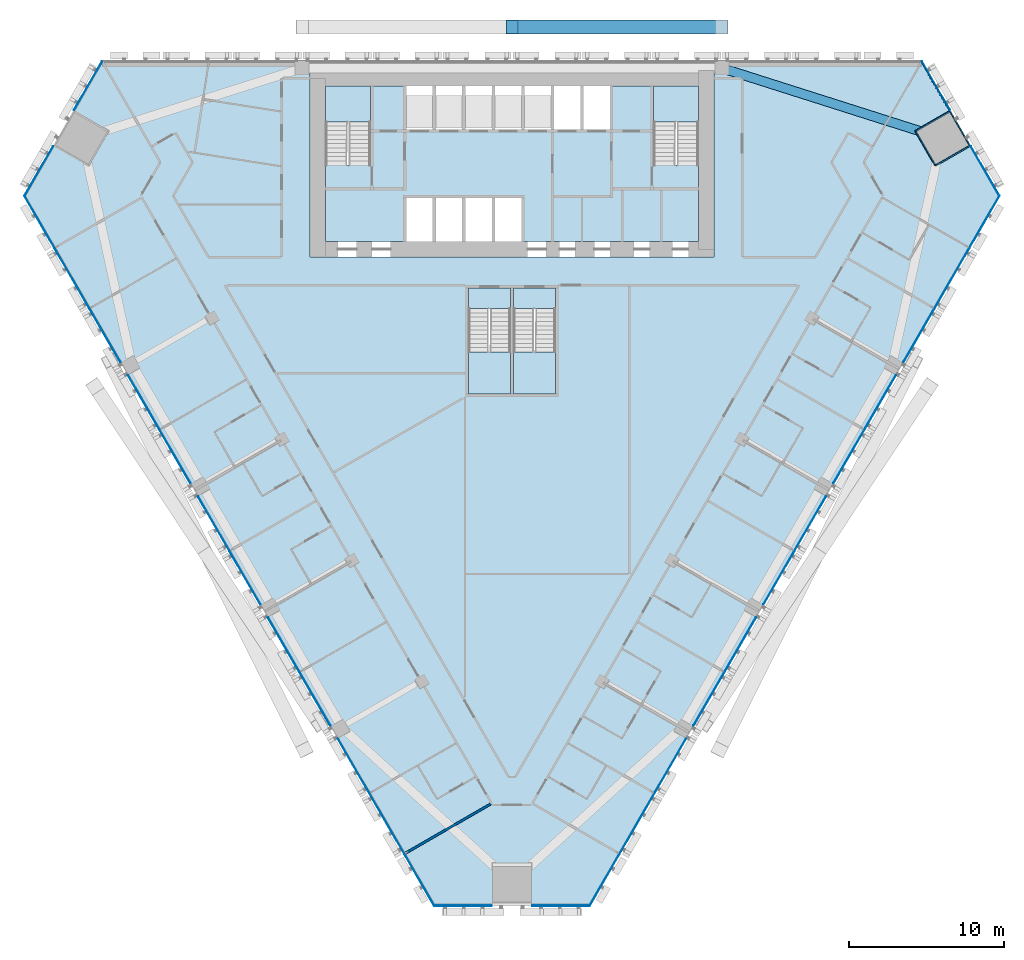
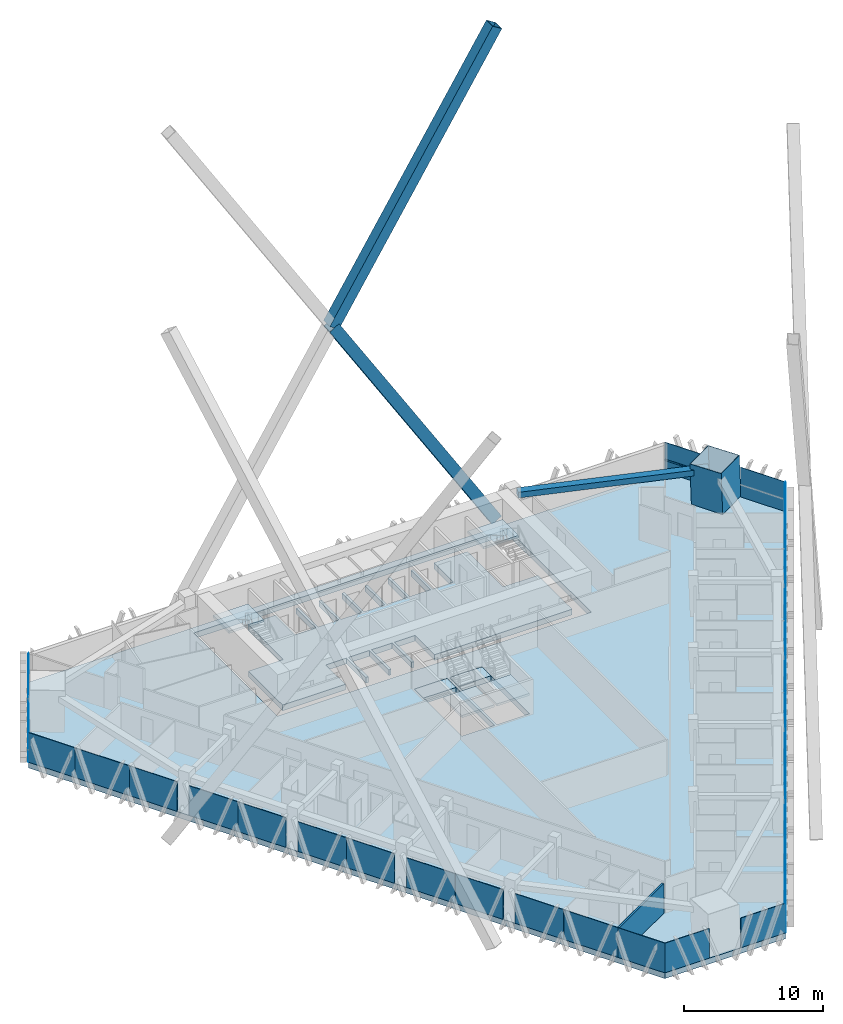
# One storey, part 15 of 24: 30 plates, 8 slabs, 4 members, 1 beam, 1 wall, 9 elements without a shape of their own.
"""IFC4 building model written with IfcOpenShell, lengths in metres."""

import ifcopenshell
import ifcopenshell.guid

model = None  # the IFC model being written
_history = None  # IfcOwnerHistory: only IFC2X3 demands one
_inside = {}  # id of a spatial element -> (the spatial element, [elements in it])
_under = {}  # id of a project, library or spatial element -> (it, [spatial elements below it])
_declared = {}  # id of a project -> (the project, [libraries it declares])
_typed = {}  # id of a type object -> (the type object, [elements of that type])
_made_of = {}  # id of a material, layer set ... -> (it, [elements and type objects made of it])


def new_model(schema):
    """Start an empty IFC model of exactly this schema.

    Asked for "IFC4X3", IfcOpenShell would pick the latest addendum, in which some entities
    have other attributes; the version numbers below select the first issue.
    IFC2X3 requires an IfcOwnerHistory on every rooted entity: one is made here for all.
    """
    global model, _history
    if schema == "IFC4X3":
        model = ifcopenshell.file(schema_version=(4, 3, 0, 0))
    else:
        model = ifcopenshell.file(schema=schema)
    _inside.clear()
    _under.clear()
    _declared.clear()
    _typed.clear()
    _made_of.clear()
    _history = None
    if model.schema == "IFC2X3":
        org = make("IfcOrganization", Name="unknown")
        user = make(
            "IfcPersonAndOrganization",
            ThePerson=make("IfcPerson", FamilyName="unknown"),
            TheOrganization=org,
        )
        app = make(
            "IfcApplication",
            ApplicationDeveloper=org,
            Version="unknown",
            ApplicationFullName="unknown",
            ApplicationIdentifier="unknown",
        )
        _history = make(
            "IfcOwnerHistory",
            OwningUser=user,
            OwningApplication=app,
            ChangeAction="ADDED",
            CreationDate=0,
        )
    return model


def make(cls, **values):
    """One entity of the class cls with the attributes given. An attribute that is None is left unset."""
    return model.create_entity(
        cls, **{name: value for name, value in values.items() if value is not None}
    )


def rooted(cls, **values):
    """An entity with a GlobalId (a new one), such as an element, a storey or a relation."""
    return make(cls, GlobalId=ifcopenshell.guid.new(), OwnerHistory=_history, **values)


def si_unit(unit_type, name, prefix=None):
    """IfcSIUnit, for example si_unit("LENGTHUNIT", "METRE", prefix="MILLI")."""
    return make("IfcSIUnit", UnitType=unit_type, Prefix=prefix, Name=name)


def assignment(units):
    """IfcUnitAssignment: the units of a project."""
    return None if units is None else make("IfcUnitAssignment", Units=units)


def point(xyz):
    """IfcCartesianPoint."""
    return None if xyz is None else make("IfcCartesianPoint", Coordinates=xyz)


def direction(xyz):
    """IfcDirection."""
    return None if xyz is None else make("IfcDirection", DirectionRatios=xyz)


def frame(location, z_axis=None, x_axis=None):
    """IfcAxis2Placement3D, a coordinate frame: its origin and axes. An axis left out is left unset."""
    return make(
        "IfcAxis2Placement3D",
        Location=point(location),
        Axis=direction(z_axis),
        RefDirection=direction(x_axis),
    )


def frame_2d(location, x_axis=None):
    """IfcAxis2Placement2D, a coordinate frame in the plane: its origin and x axis."""
    return make(
        "IfcAxis2Placement2D", Location=point(location), RefDirection=direction(x_axis)
    )


def origin():
    """The frame at (0, 0, 0) with its axes left unset."""
    return frame((0.0, 0.0, 0.0))


def origin_2d():
    """The frame at (0, 0) in the plane with its x axis left unset."""
    return frame_2d((0.0, 0.0))


def place(relative_to, where):
    """IfcLocalPlacement: puts the frame where relative to a parent placement (None: the world)."""
    return make(
        "IfcLocalPlacement", PlacementRelTo=relative_to, RelativePlacement=where
    )


def context(
    kind, dimensions, precision=None, world=None, true_north=None, identifier=None
):
    """IfcGeometricRepresentationContext, for example the 3D "Model" context."""
    return make(
        "IfcGeometricRepresentationContext",
        ContextIdentifier=identifier,
        ContextType=kind,
        CoordinateSpaceDimension=dimensions,
        Precision=precision,
        WorldCoordinateSystem=world,
        TrueNorth=true_north,
    )


def subcontext(parent, identifier, kind, view, scale=None):
    """IfcGeometricRepresentationSubContext, for example "Body" below "Model"."""
    return make(
        "IfcGeometricRepresentationSubContext",
        ContextIdentifier=identifier,
        ContextType=kind,
        ParentContext=parent,
        TargetScale=scale,
        TargetView=view,
    )


def project(units=None, contexts=None):
    """IfcProject with its units and contexts."""
    return rooted(
        "IfcProject",
        Name="project",
        RepresentationContexts=contexts,
        UnitsInContext=assignment(units),
    )


def spatial(cls, under=None, at=None, **own):
    """A site, building, storey or space (cls), placed at a placement, below another one or the project."""
    s = rooted(cls, ObjectPlacement=at, **own)
    if under is not None:
        _under.setdefault(under.id(), (under, []))[1].append(s)
    return s


def polyline(points):
    """IfcPolyline through the points."""
    return make("IfcPolyline", Points=[point(p) for p in points])


def profile(cls, at=None, kind="AREA", **sizes):
    """A parametric profile (cls). Its sizes go by their IFC names, for example OverallWidth=200.0."""
    return make(cls, ProfileType=kind, Position=at, **sizes)


def rectangle(**sizes):
    """IfcRectangleProfileDef."""
    return profile("IfcRectangleProfileDef", **sizes)


def hollow_rectangle(**sizes):
    """IfcRectangleHollowProfileDef."""
    return profile("IfcRectangleHollowProfileDef", **sizes)


def outline(outer, holes=None, kind="AREA"):
    """IfcArbitraryClosedProfileDef: a profile drawn as a closed curve; with holes, ...WithVoids."""
    if holes is None:
        return make("IfcArbitraryClosedProfileDef", ProfileType=kind, OuterCurve=outer)
    return make(
        "IfcArbitraryProfileDefWithVoids",
        ProfileType=kind,
        OuterCurve=outer,
        InnerCurves=holes,
    )


def extrude(swept, where, along, depth):
    """IfcExtrudedAreaSolid: the profile swept, set in the frame where, extruded along a direction by depth."""
    return make(
        "IfcExtrudedAreaSolid",
        SweptArea=swept,
        Position=where,
        ExtrudedDirection=direction(along),
        Depth=depth,
    )


def shape(context_of_items, identifier, shape_type, items):
    """IfcShapeRepresentation: the items that make up one representation, for example the "Body"."""
    return make(
        "IfcShapeRepresentation",
        ContextOfItems=context_of_items,
        RepresentationIdentifier=identifier,
        RepresentationType=shape_type,
        Items=items,
    )


def material(Name=None, Category=None):
    """IfcMaterial."""
    return make("IfcMaterial", Name=Name, Category=Category)


def layer(
    of_material, thickness, ventilated=None, Name=None, Category=None, Priority=None
):
    """IfcMaterialLayer: one layer of a wall or slab, of a material (None: an air gap)."""
    return make(
        "IfcMaterialLayer",
        Material=of_material,
        LayerThickness=thickness,
        IsVentilated=ventilated,
        Name=Name,
        Category=Category,
        Priority=Priority,
    )


def layer_set(layers, Name=None):
    """IfcMaterialLayerSet."""
    return make("IfcMaterialLayerSet", MaterialLayers=layers, LayerSetName=Name)


def material_profile(
    of_material, cross_section, Name=None, Category=None, Priority=None
):
    """IfcMaterialProfile: a cross section and its material."""
    return make(
        "IfcMaterialProfile",
        Name=Name,
        Material=of_material,
        Profile=cross_section,
        Priority=Priority,
        Category=Category,
    )


def profile_set(profiles, Name=None, composite=None):
    """IfcMaterialProfileSet."""
    return make(
        "IfcMaterialProfileSet",
        Name=Name,
        MaterialProfiles=profiles,
        CompositeProfile=composite,
    )


def made_of(thing, what):
    """Note that an element or type object is made of a material, layer set ...; save() writes the relation."""
    if what is not None:
        _made_of.setdefault(what.id(), (what, []))[1].append(thing)
    return thing


def type_object(cls, material=None, **own):
    """A type object (cls), such as IfcWallType, which elements share."""
    return made_of(rooted(cls, **own), material)


def element(
    cls,
    number,
    at=None,
    inside=None,
    cuts=None,
    type_object=None,
    material=None,
    context=None,
    identifier="Body",
    shape_type=None,
    held_by="IfcProductDefinitionShape",
    body=None,
    shapes=None,
    **own,
):
    """One element of the class cls, such as IfcWall. Its Tag is "e" and its number.

    at: its placement. inside: the storey or other place that contains it. cuts: it is an
    opening in that element (IfcRelVoidsElement). A single representation is given by context,
    identifier, shape_type and body (its items); several are given by shapes. held_by: the class
    of the entity that holds the representations. save() writes the other relations.
    """
    e = rooted(cls, Tag="e%d" % number, ObjectPlacement=at, **own)
    if body is not None:
        shapes = [shape(context, identifier, shape_type, body)]
    if shapes is not None:
        e.Representation = make(held_by, Representations=shapes)
    if inside is not None:
        _inside.setdefault(inside.id(), (inside, []))[1].append(e)
    if cuts is not None:
        rooted(
            "IfcRelVoidsElement", RelatingBuildingElement=cuts, RelatedOpeningElement=e
        )
    if type_object is not None:
        _typed.setdefault(type_object.id(), (type_object, []))[1].append(e)
    return made_of(e, material)


def aggregate(whole, parts):
    """IfcRelAggregates: a whole, such as a stair, and the parts it consists of."""
    return rooted("IfcRelAggregates", RelatingObject=whole, RelatedObjects=parts)


def save(model, path):
    """Write the relations noted so far, then the file.

    IfcRelAggregates (storeys below a building ...), IfcRelContainedInSpatialStructure (elements
    in a storey), IfcRelDefinesByType, IfcRelAssociatesMaterial and IfcRelDeclares: one each for
    every whole, place, type object, material and project.
    """
    for whole, parts in _under.values():
        aggregate(whole, parts)
    for where, things in _inside.values():
        rooted(
            "IfcRelContainedInSpatialStructure",
            RelatedElements=things,
            RelatingStructure=where,
        )
    for kind, things in _typed.values():
        rooted("IfcRelDefinesByType", RelatedObjects=things, RelatingType=kind)
    for what, things in _made_of.values():
        rooted("IfcRelAssociatesMaterial", RelatedObjects=things, RelatingMaterial=what)
    for by, libraries in _declared.values():
        rooted("IfcRelDeclares", RelatingContext=by, RelatedDefinitions=libraries)
    model.write(path)


model = new_model("IFC4")

# Units and contexts
model_context = context("Model", 3, precision=1e-05, world=origin(), true_north=direction((0.0, 1.0)))
body_context = subcontext(model_context, "Body", "Model", "MODEL_VIEW")
ifc_project = project(units=[si_unit("LENGTHUNIT", "METRE"), si_unit("AREAUNIT", "SQUARE_METRE"), si_unit("VOLUMEUNIT", "CUBIC_METRE"), si_unit("PLANEANGLEUNIT", "RADIAN"), si_unit("MASSUNIT", "GRAM", prefix="KILO")], contexts=[model_context])

# Site, building, storey
site_placement = place(None, origin())
site = spatial("IfcSite", under=ifc_project, at=site_placement, CompositionType="ELEMENT")
building_placement = place(site_placement, origin())
building = spatial("IfcBuilding", under=site, at=building_placement, Name="Altiplano Prism Tower", CompositionType="ELEMENT")
storey_placement = place(building_placement, frame((0.0, 0.0, 27.0)))
storey = spatial("IfcBuildingStorey", under=building, at=storey_placement, Name="L05", CompositionType="ELEMENT", Elevation=27.0)

# Curtain wall, member
ifc_material_1 = material(Name="Aluminium and glass", Category="aluminium")
ifc_layer_1 = layer(ifc_material_1, 0.280029296875)
ifc_layer_set_1 = layer_set([ifc_layer_1], Name="Aluminium and glass")
curtain_wall_type = type_object("IfcCurtainWallType", Name="CW1 typical co-living unitised curtain wall", PredefinedType="NOTDEFINED", material=ifc_layer_set_1)
curtain_wall_1_placement = place(storey_placement, origin())
curtain_wall_1 = element("IfcCurtainWall", 1, at=curtain_wall_1_placement, inside=storey, type_object=curtain_wall_type, Name="CW1 curtain wall north-east chamfer L05", PredefinedType="NOTDEFINED")
ifc_material_2 = material(Name="Aluminium", Category="aluminium")
ifc_material_profile_1 = material_profile(ifc_material_2, rectangle(XDim=0.06005859375, YDim=0.080078125, at=origin_2d()), Name="CW1 transom 80 x 60")
ifc_profile_set_1 = profile_set([ifc_material_profile_1], Name="Aluminium")
member_type_1 = type_object("IfcMemberType", Name="CW1 transom 80 x 60", PredefinedType="USERDEFINED", material=ifc_profile_set_1)
member_1_placement = place(storey_placement, frame((113.12255859375, 101.829833984375, 1.10009765625), z_axis=(-0.499983199978, 0.866035103064, 0.0), x_axis=(-0.866035103064, -0.499983199978, 0.0)))
member_1 = element("IfcMember", 2, at=member_1_placement, type_object=member_type_1, Name="CW1 transom", ObjectType="TRANSOM", PredefinedType="USERDEFINED", context=body_context, shape_type="SweptSolid", body=[
    extrude(rectangle(XDim=0.06005859375, YDim=0.080078125, at=origin_2d()), origin(), (0.0, 0.0, 1.0), 3.6201171875),
])

# Beam
ifc_material_3 = material(Name="Concrete C60/75", Category="concrete")
ifc_material_profile_2 = material_profile(ifc_material_3, rectangle(XDim=0.60009765625, YDim=0.5, at=origin_2d()), Name="Edge beam 600x500")
ifc_profile_set_2 = profile_set([ifc_material_profile_2], Name="Concrete C60/75")
beam_type = type_object("IfcBeamType", Name="Edge beam 600x500", PredefinedType="SPANDREL", material=ifc_profile_set_2)
beam_placement = place(storey_placement, frame((112.216064453125, 100.189453125, 2.85009765625), z_axis=(-0.952997460787, 0.302978282611, 0.0), x_axis=(-0.302978282611, -0.952997460787, 0.0)))
element("IfcBeam", 3, at=beam_placement, inside=storey, type_object=beam_type, Name="Edge beam M2-P01 L06", PredefinedType="SPANDREL", context=body_context, shape_type="SweptSolid", body=[
    extrude(rectangle(XDim=0.60009765625, YDim=0.5, at=origin_2d()), origin(), (0.0, 0.0, 1.0), 14.040283203125),
])

# Members
ifc_material_4 = material(Name="Steel S355", Category="steel")
ifc_material_profile_3 = material_profile(ifc_material_4, hollow_rectangle(XDim=0.89990234375, YDim=0.89990234375, WallThickness=0.0400390625, at=origin_2d()), Name="Mega brace Box 900x900x40")
ifc_profile_set_3 = profile_set([ifc_material_profile_3], Name="Steel S355")
member_type_2 = type_object("IfcMemberType", Name="Mega brace Box 900x900x40", PredefinedType="BRACE", material=ifc_profile_set_3)
member_2_placement = place(storey_placement, frame((98.478759765625, 107.199951171875, -0.816162109375), z_axis=(-0.529996351286, 0.0, 0.847999921948), x_axis=(0.0, -1.0, 0.0)))
element("IfcMember", 4, at=member_2_placement, inside=storey, type_object=member_type_2, Name="Mega brace 1.0.1", PredefinedType="BRACE", context=body_context, shape_type="SweptSolid", body=[
    extrude(hollow_rectangle(XDim=0.89990234375, YDim=0.89990234375, WallThickness=0.0400390625, at=origin_2d()), origin(), (0.0, 0.0, 1.0), 25.431884765625),
])
member_3_placement = place(storey_placement, frame((85.0, 107.199951171875, 20.75), z_axis=(0.529997216905, 0.0, 0.847999380939), x_axis=(0.0, 1.0, 0.0)))
element("IfcMember", 5, at=member_3_placement, inside=storey, type_object=member_type_2, Name="Mega brace 1.0.4", PredefinedType="BRACE", context=body_context, shape_type="SweptSolid", body=[
    extrude(hollow_rectangle(XDim=0.89990234375, YDim=0.89990234375, WallThickness=0.0400390625, at=origin_2d()), origin(), (0.0, 0.0, 1.0), 25.471923828125),
])
ifc_material_5 = material(Name="Steel S460", Category="steel")
ifc_material_profile_4 = material_profile(ifc_material_5, hollow_rectangle(XDim=2.60009765625, YDim=2.60009765625, WallThickness=0.0400390625, at=origin_2d()), Name="Mega column tube 2600")
ifc_profile_set_4 = profile_set([ifc_material_profile_4], Name="Steel S460")
member_type_3 = type_object("IfcMemberType", Name="Mega column tube 2600", PredefinedType="POST", material=ifc_profile_set_4)
member_4_placement = place(storey_placement, frame((112.747314453125, 100.019775390625, 0.0), z_axis=(-0.028401796786, 0.009286506348, 0.999553449666), x_axis=(0.498883843993, -0.866383845889, 0.022224801134)))
element("IfcMember", 6, at=member_4_placement, inside=storey, type_object=member_type_3, Name="Mega column tube M2 L05", PredefinedType="POST", context=body_context, shape_type="SweptSolid", body=[
    extrude(hollow_rectangle(XDim=2.60009765625, YDim=2.60009765625, WallThickness=0.0400390625, at=origin_2d()), origin(), (0.0, 0.0, 1.0), 3.601806640625),
])

# Curtain wall, plates
curtain_wall_2_placement = place(storey_placement, origin())
curtain_wall_2 = element("IfcCurtainWall", 7, at=curtain_wall_2_placement, inside=storey, type_object=curtain_wall_type, Name="CW1 curtain wall north-west chamfer L05", PredefinedType="NOTDEFINED")
ifc_material_6 = material(Name="Clear glass", Category="glass")
ifc_layer_2 = layer(ifc_material_6, 0.0400390625)
ifc_layer_set_2 = layer_set([ifc_layer_2], Name="Clear glass")
plate_type = type_object("IfcPlateType", Name="CW1 insulated glass unit 40", PredefinedType="CURTAIN_PANEL", material=ifc_layer_set_2)
plate_1_placement = place(storey_placement, frame((57.7392578125, 103.42236328125, 0.0), z_axis=(0.0, 0.0, 1.0), x_axis=(-0.500000001632, -0.866025402842, 0.0)))
plate_1 = element("IfcPlate", 8, at=plate_1_placement, type_object=plate_type, Name="CW1 panel", PredefinedType="CURTAIN_PANEL", context=body_context, shape_type="SweptSolid", body=[
    extrude(rectangle(XDim=3.610107421875, YDim=0.0400390625, at=origin_2d()), origin(), (0.0, 0.0, 1.0), 2.60009765625),
])
plate_2_placement = place(storey_placement, frame((54.5693359375, 97.931884765625, 0.0), z_axis=(0.0, 0.0, 1.0), x_axis=(-0.500000001632, -0.866025402842, 0.0)))
plate_2 = element("IfcPlate", 9, at=plate_2_placement, type_object=plate_type, Name="CW1 panel", PredefinedType="CURTAIN_PANEL", context=body_context, shape_type="SweptSolid", body=[
    extrude(rectangle(XDim=3.68994140625, YDim=0.0400390625, at=origin_2d()), origin(), (0.0, 0.0, 1.0), 2.60009765625),
])
aggregate(curtain_wall_2, [plate_1, plate_2])

curtain_wall_3_placement = place(storey_placement, origin())
curtain_wall_3 = element("IfcCurtainWall", 10, at=curtain_wall_3_placement, inside=storey, type_object=curtain_wall_type, Name="CW1 curtain wall south-west face L05", PredefinedType="NOTDEFINED")
plate_3_placement = place(storey_placement, frame((54.612548828125, 94.672607421875, 0.0), z_axis=(0.0, 0.0, 1.0), x_axis=(0.49999999997, -0.866025403802, 0.0)))
plate_3 = element("IfcPlate", 11, at=plate_3_placement, type_object=plate_type, Name="CW1 panel", PredefinedType="CURTAIN_PANEL", context=body_context, shape_type="SweptSolid", body=[
    extrude(rectangle(XDim=3.863037109375, YDim=0.0400390625, at=origin_2d()), origin(), (0.0, 0.0, 1.0), 2.60009765625),
])
plate_4_placement = place(storey_placement, frame((56.705810546875, 91.047119140625, 0.0), z_axis=(0.0, 0.0, 1.0), x_axis=(0.49999999997, -0.866025403802, 0.0)))
plate_4 = element("IfcPlate", 12, at=plate_4_placement, type_object=plate_type, Name="CW1 panel", PredefinedType="CURTAIN_PANEL", context=body_context, shape_type="SweptSolid", body=[
    extrude(rectangle(XDim=4.489990234375, YDim=0.0400390625, at=origin_2d()), origin(), (0.0, 0.0, 1.0), 2.60009765625),
])
plate_5_placement = place(storey_placement, frame((58.823486328125, 87.379150390625, 0.0), z_axis=(0.0, 0.0, 1.0), x_axis=(0.49999999997, -0.866025403802, 0.0)))
plate_5 = element("IfcPlate", 13, at=plate_5_placement, type_object=plate_type, Name="CW1 panel", PredefinedType="CURTAIN_PANEL", context=body_context, shape_type="SweptSolid", body=[
    extrude(rectangle(XDim=3.96044921875, YDim=0.0400390625, at=origin_2d()), origin(), (0.0, 0.0, 1.0), 2.60009765625),
])
plate_6_placement = place(storey_placement, frame((61.318359375, 83.0576171875, 0.0), z_axis=(0.0, 0.0, 1.0), x_axis=(0.49999999997, -0.866025403802, 0.0)))
plate_6 = element("IfcPlate", 14, at=plate_6_placement, type_object=plate_type, Name="CW1 panel", PredefinedType="CURTAIN_PANEL", context=body_context, shape_type="SweptSolid", body=[
    extrude(rectangle(XDim=4.039306640625, YDim=0.0400390625, at=origin_2d()), origin(), (0.0, 0.0, 1.0), 2.60009765625),
])
plate_7_placement = place(storey_placement, frame((63.323486328125, 79.5849609375, 0.0), z_axis=(0.0, 0.0, 1.0), x_axis=(0.49999999997, -0.866025403802, 0.0)))
plate_7 = element("IfcPlate", 15, at=plate_7_placement, type_object=plate_type, Name="CW1 panel", PredefinedType="CURTAIN_PANEL", context=body_context, shape_type="SweptSolid", body=[
    extrude(rectangle(XDim=3.96044921875, YDim=0.0400390625, at=origin_2d()), origin(), (0.0, 0.0, 1.0), 2.60009765625),
])
plate_8_placement = place(storey_placement, frame((65.818359375, 75.263427734375, 0.0), z_axis=(0.0, 0.0, 1.0), x_axis=(0.49999999997, -0.866025403802, 0.0)))
plate_8 = element("IfcPlate", 16, at=plate_8_placement, type_object=plate_type, Name="CW1 panel", PredefinedType="CURTAIN_PANEL", context=body_context, shape_type="SweptSolid", body=[
    extrude(rectangle(XDim=4.039306640625, YDim=0.0400390625, at=origin_2d()), origin(), (0.0, 0.0, 1.0), 2.60009765625),
])
plate_9_placement = place(storey_placement, frame((67.823486328125, 71.790771484375, 0.0), z_axis=(0.0, 0.0, 1.0), x_axis=(0.49999999997, -0.866025403802, 0.0)))
plate_9 = element("IfcPlate", 17, at=plate_9_placement, type_object=plate_type, Name="CW1 panel", PredefinedType="CURTAIN_PANEL", context=body_context, shape_type="SweptSolid", body=[
    extrude(rectangle(XDim=3.96044921875, YDim=0.0400390625, at=origin_2d()), origin(), (0.0, 0.0, 1.0), 2.60009765625),
])
plate_10_placement = place(storey_placement, frame((70.318359375, 67.46923828125, 0.0), z_axis=(0.0, 0.0, 1.0), x_axis=(0.49999999997, -0.866025403802, 0.0)))
plate_10 = element("IfcPlate", 18, at=plate_10_placement, type_object=plate_type, Name="CW1 panel", PredefinedType="CURTAIN_PANEL", context=body_context, shape_type="SweptSolid", body=[
    extrude(rectangle(XDim=4.039306640625, YDim=0.0400390625, at=origin_2d()), origin(), (0.0, 0.0, 1.0), 2.60009765625),
])
plate_11_placement = place(storey_placement, frame((72.323486328125, 63.99658203125, 0.0), z_axis=(0.0, 0.0, 1.0), x_axis=(0.49999999997, -0.866025403802, 0.0)))
plate_11 = element("IfcPlate", 19, at=plate_11_placement, type_object=plate_type, Name="CW1 panel", PredefinedType="CURTAIN_PANEL", context=body_context, shape_type="SweptSolid", body=[
    extrude(rectangle(XDim=3.96044921875, YDim=0.0400390625, at=origin_2d()), origin(), (0.0, 0.0, 1.0), 2.60009765625),
])
plate_12_placement = place(storey_placement, frame((74.818359375, 59.675048828125, 0.0), z_axis=(0.0, 0.0, 1.0), x_axis=(0.49999999997, -0.866025403802, 0.0)))
plate_12 = element("IfcPlate", 20, at=plate_12_placement, type_object=plate_type, Name="CW1 panel", PredefinedType="CURTAIN_PANEL", context=body_context, shape_type="SweptSolid", body=[
    extrude(rectangle(XDim=4.039306640625, YDim=0.0400390625, at=origin_2d()), origin(), (0.0, 0.0, 1.0), 2.60009765625),
])
plate_13_placement = place(storey_placement, frame((76.955810546875, 55.972900390625, 0.0), z_axis=(0.0, 0.0, 1.0), x_axis=(0.49999999997, -0.866025403802, 0.0)))
plate_13 = element("IfcPlate", 21, at=plate_13_placement, type_object=plate_type, Name="CW1 panel", PredefinedType="CURTAIN_PANEL", context=body_context, shape_type="SweptSolid", body=[
    extrude(rectangle(XDim=4.489990234375, YDim=0.0400390625, at=origin_2d()), origin(), (0.0, 0.0, 1.0), 2.60009765625),
])
plate_14_placement = place(storey_placement, frame((79.049072265625, 52.347412109375, 0.0), z_axis=(0.0, 0.0, 1.0), x_axis=(0.49999999997, -0.866025403802, 0.0)))
plate_14 = element("IfcPlate", 22, at=plate_14_placement, type_object=plate_type, Name="CW1 panel", PredefinedType="CURTAIN_PANEL", context=body_context, shape_type="SweptSolid", body=[
    extrude(rectangle(XDim=3.863037109375, YDim=0.0400390625, at=origin_2d()), origin(), (0.0, 0.0, 1.0), 2.60009765625),
])
aggregate(curtain_wall_3, [plate_3, plate_4, plate_5, plate_6, plate_7, plate_8, plate_9, plate_10, plate_11, plate_12, plate_13, plate_14])

curtain_wall_4_placement = place(storey_placement, origin())
curtain_wall_4 = element("IfcCurtainWall", 23, at=curtain_wall_4_placement, inside=storey, type_object=curtain_wall_type, Name="CW1 curtain wall south chamfer L05", PredefinedType="NOTDEFINED")
plate_15_placement = place(storey_placement, frame((81.85009765625, 50.68017578125, 0.0), z_axis=(0.0, 0.0, 1.0), x_axis=(1.0, 0.0, 0.0)))
plate_15 = element("IfcPlate", 24, at=plate_15_placement, type_object=plate_type, Name="CW1 panel", PredefinedType="CURTAIN_PANEL", context=body_context, shape_type="SweptSolid", body=[
    extrude(rectangle(XDim=3.68994140625, YDim=0.0400390625, at=origin_2d()), origin(), (0.0, 0.0, 1.0), 2.60009765625),
])
plate_16_placement = place(storey_placement, frame((88.14990234375, 50.68017578125, 0.0), z_axis=(0.0, 0.0, 1.0), x_axis=(1.0, 0.0, 0.0)))
plate_16 = element("IfcPlate", 25, at=plate_16_placement, type_object=plate_type, Name="CW1 panel", PredefinedType="CURTAIN_PANEL", context=body_context, shape_type="SweptSolid", body=[
    extrude(rectangle(XDim=3.68994140625, YDim=0.0400390625, at=origin_2d()), origin(), (0.0, 0.0, 1.0), 2.60009765625),
])
aggregate(curtain_wall_4, [plate_15, plate_16])

curtain_wall_5_placement = place(storey_placement, origin())
curtain_wall_5 = element("IfcCurtainWall", 26, at=curtain_wall_5_placement, inside=storey, type_object=curtain_wall_type, Name="CW1 curtain wall south-east face L05", PredefinedType="NOTDEFINED")
plate_17_placement = place(storey_placement, frame((90.950927734375, 52.347412109375, 0.0), z_axis=(0.0, 0.0, 1.0), x_axis=(0.49999999997, 0.866025403802, 0.0)))
plate_17 = element("IfcPlate", 27, at=plate_17_placement, type_object=plate_type, Name="CW1 panel", PredefinedType="CURTAIN_PANEL", context=body_context, shape_type="SweptSolid", body=[
    extrude(rectangle(XDim=3.863037109375, YDim=0.0400390625, at=origin_2d()), origin(), (0.0, 0.0, 1.0), 2.60009765625),
])
plate_18_placement = place(storey_placement, frame((93.044189453125, 55.972900390625, 0.0), z_axis=(0.0, 0.0, 1.0), x_axis=(0.49999999997, 0.866025403802, 0.0)))
plate_18 = element("IfcPlate", 28, at=plate_18_placement, type_object=plate_type, Name="CW1 panel", PredefinedType="CURTAIN_PANEL", context=body_context, shape_type="SweptSolid", body=[
    extrude(rectangle(XDim=4.489990234375, YDim=0.0400390625, at=origin_2d()), origin(), (0.0, 0.0, 1.0), 2.60009765625),
])
plate_19_placement = place(storey_placement, frame((95.181640625, 59.675048828125, 0.0), z_axis=(0.0, 0.0, 1.0), x_axis=(0.49999999997, 0.866025403802, 0.0)))
plate_19 = element("IfcPlate", 29, at=plate_19_placement, type_object=plate_type, Name="CW1 panel", PredefinedType="CURTAIN_PANEL", context=body_context, shape_type="SweptSolid", body=[
    extrude(rectangle(XDim=4.039306640625, YDim=0.0400390625, at=origin_2d()), origin(), (0.0, 0.0, 1.0), 2.60009765625),
])
plate_20_placement = place(storey_placement, frame((97.676513671875, 63.99658203125, 0.0), z_axis=(0.0, 0.0, 1.0), x_axis=(0.49999999997, 0.866025403802, 0.0)))
plate_20 = element("IfcPlate", 30, at=plate_20_placement, type_object=plate_type, Name="CW1 panel", PredefinedType="CURTAIN_PANEL", context=body_context, shape_type="SweptSolid", body=[
    extrude(rectangle(XDim=3.96044921875, YDim=0.0400390625, at=origin_2d()), origin(), (0.0, 0.0, 1.0), 2.60009765625),
])
plate_21_placement = place(storey_placement, frame((99.681640625, 67.46923828125, 0.0), z_axis=(0.0, 0.0, 1.0), x_axis=(0.49999999997, 0.866025403802, 0.0)))
plate_21 = element("IfcPlate", 31, at=plate_21_placement, type_object=plate_type, Name="CW1 panel", PredefinedType="CURTAIN_PANEL", context=body_context, shape_type="SweptSolid", body=[
    extrude(rectangle(XDim=4.039306640625, YDim=0.0400390625, at=origin_2d()), origin(), (0.0, 0.0, 1.0), 2.60009765625),
])
plate_22_placement = place(storey_placement, frame((102.176513671875, 71.790771484375, 0.0), z_axis=(0.0, 0.0, 1.0), x_axis=(0.49999999997, 0.866025403802, 0.0)))
plate_22 = element("IfcPlate", 32, at=plate_22_placement, type_object=plate_type, Name="CW1 panel", PredefinedType="CURTAIN_PANEL", context=body_context, shape_type="SweptSolid", body=[
    extrude(rectangle(XDim=3.96044921875, YDim=0.0400390625, at=origin_2d()), origin(), (0.0, 0.0, 1.0), 2.60009765625),
])
plate_23_placement = place(storey_placement, frame((104.181640625, 75.263427734375, 0.0), z_axis=(0.0, 0.0, 1.0), x_axis=(0.49999999997, 0.866025403802, 0.0)))
plate_23 = element("IfcPlate", 33, at=plate_23_placement, type_object=plate_type, Name="CW1 panel", PredefinedType="CURTAIN_PANEL", context=body_context, shape_type="SweptSolid", body=[
    extrude(rectangle(XDim=4.039306640625, YDim=0.0400390625, at=origin_2d()), origin(), (0.0, 0.0, 1.0), 2.60009765625),
])
plate_24_placement = place(storey_placement, frame((106.676513671875, 79.5849609375, 0.0), z_axis=(0.0, 0.0, 1.0), x_axis=(0.49999999997, 0.866025403802, 0.0)))
plate_24 = element("IfcPlate", 34, at=plate_24_placement, type_object=plate_type, Name="CW1 panel", PredefinedType="CURTAIN_PANEL", context=body_context, shape_type="SweptSolid", body=[
    extrude(rectangle(XDim=3.96044921875, YDim=0.0400390625, at=origin_2d()), origin(), (0.0, 0.0, 1.0), 2.60009765625),
])
plate_25_placement = place(storey_placement, frame((108.681640625, 83.0576171875, 0.0), z_axis=(0.0, 0.0, 1.0), x_axis=(0.49999999997, 0.866025403802, 0.0)))
plate_25 = element("IfcPlate", 35, at=plate_25_placement, type_object=plate_type, Name="CW1 panel", PredefinedType="CURTAIN_PANEL", context=body_context, shape_type="SweptSolid", body=[
    extrude(rectangle(XDim=4.039306640625, YDim=0.0400390625, at=origin_2d()), origin(), (0.0, 0.0, 1.0), 2.60009765625),
])
plate_26_placement = place(storey_placement, frame((111.176513671875, 87.379150390625, 0.0), z_axis=(0.0, 0.0, 1.0), x_axis=(0.49999999997, 0.866025403802, 0.0)))
plate_26 = element("IfcPlate", 36, at=plate_26_placement, type_object=plate_type, Name="CW1 panel", PredefinedType="CURTAIN_PANEL", context=body_context, shape_type="SweptSolid", body=[
    extrude(rectangle(XDim=3.96044921875, YDim=0.0400390625, at=origin_2d()), origin(), (0.0, 0.0, 1.0), 2.60009765625),
])
plate_27_placement = place(storey_placement, frame((113.294189453125, 91.047119140625, 0.0), z_axis=(0.0, 0.0, 1.0), x_axis=(0.49999999997, 0.866025403802, 0.0)))
plate_27 = element("IfcPlate", 37, at=plate_27_placement, type_object=plate_type, Name="CW1 panel", PredefinedType="CURTAIN_PANEL", context=body_context, shape_type="SweptSolid", body=[
    extrude(rectangle(XDim=4.489990234375, YDim=0.0400390625, at=origin_2d()), origin(), (0.0, 0.0, 1.0), 2.60009765625),
])
plate_28_placement = place(storey_placement, frame((115.387451171875, 94.672607421875, 0.0), z_axis=(0.0, 0.0, 1.0), x_axis=(0.49999999997, 0.866025403802, 0.0)))
plate_28 = element("IfcPlate", 38, at=plate_28_placement, type_object=plate_type, Name="CW1 panel", PredefinedType="CURTAIN_PANEL", context=body_context, shape_type="SweptSolid", body=[
    extrude(rectangle(XDim=3.863037109375, YDim=0.0400390625, at=origin_2d()), origin(), (0.0, 0.0, 1.0), 2.60009765625),
])
aggregate(curtain_wall_5, [plate_17, plate_18, plate_19, plate_20, plate_21, plate_22, plate_23, plate_24, plate_25, plate_26, plate_27, plate_28])

# Plate
plate_29_placement = place(storey_placement, frame((115.4306640625, 97.931884765625, 0.0), z_axis=(0.0, 0.0, 1.0), x_axis=(-0.500000001632, 0.866025402842, 0.0)))
plate_29 = element("IfcPlate", 39, at=plate_29_placement, type_object=plate_type, Name="CW1 panel", PredefinedType="CURTAIN_PANEL", context=body_context, shape_type="SweptSolid", body=[
    extrude(rectangle(XDim=3.68994140625, YDim=0.0400390625, at=origin_2d()), origin(), (0.0, 0.0, 1.0), 2.60009765625),
])

plate_30_placement = place(storey_placement, frame((112.2607421875, 103.42236328125, 0.0), z_axis=(0.0, 0.0, 1.0), x_axis=(-0.500000001632, 0.866025402842, 0.0)))
plate_30 = element("IfcPlate", 40, at=plate_30_placement, type_object=plate_type, Name="CW1 panel", PredefinedType="CURTAIN_PANEL", context=body_context, shape_type="SweptSolid", body=[
    extrude(rectangle(XDim=3.610107421875, YDim=0.0400390625, at=origin_2d()), origin(), (0.0, 0.0, 1.0), 2.60009765625),
])

aggregate(curtain_wall_1, [plate_29, member_1, plate_30])

# Slabs
ifc_material_7 = material(Name="Concrete C40/50", Category="concrete")
ifc_layer_3 = layer(ifc_material_7, 0.5)
ifc_layer_set_3 = layer_set([ifc_layer_3], Name="Concrete C40/50")
slab_type_1 = type_object("IfcSlabType", Name="Core floor slab 500", PredefinedType="FLOOR", material=ifc_layer_set_3)
slab_1_placement = place(storey_placement, frame((0.0, 0.0, -0.5)))
element("IfcSlab", 41, at=slab_1_placement, inside=storey, type_object=slab_type_1, Name="Core floor slab L05", PredefinedType="FLOOR", context=body_context, shape_type="SweptSolid", body=[
    extrude(outline(polyline([(97.0, 98.31005859375), (94.10009765625, 98.31005859375), (94.10009765625, 103.39990234375), (91.300048828125, 103.39990234375), (91.300048828125, 100.60009765625), (89.60009765625, 100.60009765625), (89.60009765625, 103.39990234375), (89.39990234375, 103.39990234375), (89.39990234375, 100.60009765625), (87.699951171875, 100.60009765625), (87.699951171875, 103.39990234375), (87.5, 103.39990234375), (87.5, 100.60009765625), (85.800048828125, 100.60009765625), (85.800048828125, 103.39990234375), (85.60009765625, 103.39990234375), (85.60009765625, 100.60009765625), (83.89990234375, 100.60009765625), (83.89990234375, 103.39990234375), (83.699951171875, 103.39990234375), (83.699951171875, 100.60009765625), (82.0, 100.60009765625), (82.0, 103.39990234375), (81.800048828125, 103.39990234375), (81.800048828125, 100.60009765625), (80.10009765625, 100.60009765625), (80.10009765625, 103.39990234375), (79.89990234375, 103.39990234375), (79.89990234375, 100.60009765625), (78.199951171875, 100.60009765625), (78.199951171875, 103.39990234375), (75.89990234375, 103.39990234375), (75.89990234375, 98.31005859375), (73.0, 98.31005859375), (73.0, 93.39990234375), (78.199951171875, 93.39990234375), (78.199951171875, 96.199951171875), (79.89990234375, 96.199951171875), (79.89990234375, 93.39990234375), (80.10009765625, 93.39990234375), (80.10009765625, 96.199951171875), (81.800048828125, 96.199951171875), (81.800048828125, 93.39990234375), (82.0, 93.39990234375), (82.0, 96.199951171875), (83.699951171875, 96.199951171875), (83.699951171875, 93.39990234375), (83.89990234375, 93.39990234375), (83.89990234375, 96.199951171875), (85.60009765625, 96.199951171875), (85.60009765625, 93.39990234375), (97.0, 93.39990234375), (97.0, 98.31005859375)])), origin(), (0.0, 0.0, 1.0), 0.5),
])
slab_2_placement = place(storey_placement, frame((0.0, 0.0, -0.5)))
element("IfcSlab", 42, at=slab_2_placement, inside=storey, type_object=slab_type_1, Name="Stair 3A landing slab L05", PredefinedType="FLOOR", context=body_context, shape_type="SweptSolid", body=[
    extrude(outline(polyline([(82.199951171875, 89.096923828125), (84.89990234375, 89.096923828125), (84.89990234375, 90.39990234375), (82.199951171875, 90.39990234375), (82.199951171875, 89.096923828125)])), origin(), (0.0, 0.0, 1.0), 0.5),
])
slab_3_placement = place(storey_placement, frame((0.0, 0.0, -0.5)))
element("IfcSlab", 43, at=slab_3_placement, inside=storey, type_object=slab_type_1, Name="Stair 3B landing slab L05", PredefinedType="FLOOR", context=body_context, shape_type="SweptSolid", body=[
    extrude(outline(polyline([(85.10009765625, 89.096923828125), (87.800048828125, 89.096923828125), (87.800048828125, 90.39990234375), (85.10009765625, 90.39990234375), (85.10009765625, 89.096923828125)])), origin(), (0.0, 0.0, 1.0), 0.5),
])
ifc_layer_4 = layer(ifc_material_7, 0.5)
ifc_layer_set_4 = layer_set([ifc_layer_4], Name="Concrete C40/50")
slab_type_2 = type_object("IfcSlabType", Name="Post-tensioned flat slab 500", PredefinedType="FLOOR", material=ifc_layer_set_4)
slab_4_placement = place(storey_placement, frame((0.0, 0.0, -0.5)))
element("IfcSlab", 44, at=slab_4_placement, inside=storey, type_object=slab_type_2, Name="Floor slab L05", PredefinedType="FLOOR", context=body_context, shape_type="SweptSolid", body=[
    extrude(outline(polyline([(80.0, 50.66015625), (53.626953125, 96.33984375), (58.626953125, 105.0), (111.373046875, 105.0), (116.373046875, 96.33984375), (90.0, 50.66015625), (80.0, 50.66015625)]), holes=[polyline([(72.0, 104.39990234375), (72.0, 92.39990234375), (98.0, 92.39990234375), (98.0, 104.39990234375), (72.0, 104.39990234375)]), polyline([(84.89990234375, 90.39990234375), (82.199951171875, 90.39990234375), (82.199951171875, 83.60009765625), (84.89990234375, 83.60009765625), (84.89990234375, 90.39990234375)]), polyline([(87.800048828125, 83.60009765625), (87.800048828125, 90.39990234375), (85.10009765625, 90.39990234375), (85.10009765625, 83.60009765625), (87.800048828125, 83.60009765625)])]), origin(), (0.0, 0.0, 1.0), 0.5),
])

# Stair, slab
stair_type_1 = type_object("IfcStairType", Name="Exit stair 1400", PredefinedType="HALF_TURN_STAIR", material=ifc_material_7)
stair_1_placement = place(storey_placement, origin())
stair_1 = element("IfcStair", 45, at=stair_1_placement, inside=storey, type_object=stair_type_1, Name="L05 Exit Stair 1", PredefinedType="HALF_TURN_STAIR")
ifc_layer_5 = layer(ifc_material_7, 0.199951171875)
ifc_layer_set_5 = layer_set([ifc_layer_5], Name="Concrete C40/50")
slab_type_3 = type_object("IfcSlabType", Name="Stair landing 200", PredefinedType="LANDING", material=ifc_layer_set_5)
slab_5_placement = place(storey_placement, frame((0.0, 0.0, 1.60009765625)))
slab_5 = element("IfcSlab", 46, at=slab_5_placement, type_object=slab_type_3, Name="ST1 landing 1", PredefinedType="LANDING", context=body_context, shape_type="SweptSolid", body=[
    extrude(outline(polyline([(75.89990234375, 101.096923828125), (75.89990234375, 103.39990234375), (73.0, 103.39990234375), (73.0, 101.096923828125), (75.89990234375, 101.096923828125)])), origin(), (0.0, 0.0, 1.0), 0.199951171875),
])
aggregate(stair_1, [slab_5])

stair_2_placement = place(storey_placement, origin())
stair_2 = element("IfcStair", 47, at=stair_2_placement, inside=storey, type_object=stair_type_1, Name="L05 Exit Stair 2", PredefinedType="HALF_TURN_STAIR")
slab_6_placement = place(storey_placement, frame((0.0, 0.0, 1.60009765625)))
slab_6 = element("IfcSlab", 48, at=slab_6_placement, type_object=slab_type_3, Name="ST2 landing 1", PredefinedType="LANDING", context=body_context, shape_type="SweptSolid", body=[
    extrude(outline(polyline([(97.0, 101.096923828125), (97.0, 103.39990234375), (94.10009765625, 103.39990234375), (94.10009765625, 101.096923828125), (97.0, 101.096923828125)])), origin(), (0.0, 0.0, 1.0), 0.199951171875),
])
aggregate(stair_2, [slab_6])

stair_type_2 = type_object("IfcStairType", Name="Exit stair 1300", PredefinedType="HALF_TURN_STAIR", material=ifc_material_7)
stair_3_placement = place(storey_placement, origin())
stair_3 = element("IfcStair", 49, at=stair_3_placement, inside=storey, type_object=stair_type_2, Name="L05 Exit Stair 3A", PredefinedType="HALF_TURN_STAIR")
slab_7_placement = place(storey_placement, frame((0.0, 0.0, 1.60009765625)))
slab_7 = element("IfcSlab", 50, at=slab_7_placement, type_object=slab_type_3, Name="ST3A landing 1", PredefinedType="LANDING", context=body_context, shape_type="SweptSolid", body=[
    extrude(outline(polyline([(82.199951171875, 86.302978515625), (82.199951171875, 83.60009765625), (84.89990234375, 83.60009765625), (84.89990234375, 86.302978515625), (82.199951171875, 86.302978515625)])), origin(), (0.0, 0.0, 1.0), 0.199951171875),
])
aggregate(stair_3, [slab_7])

stair_4_placement = place(storey_placement, origin())
stair_4 = element("IfcStair", 51, at=stair_4_placement, inside=storey, type_object=stair_type_2, Name="L05 Exit Stair 3B", PredefinedType="HALF_TURN_STAIR")
slab_8_placement = place(storey_placement, frame((0.0, 0.0, 1.60009765625)))
slab_8 = element("IfcSlab", 52, at=slab_8_placement, type_object=slab_type_3, Name="ST3B landing 1", PredefinedType="LANDING", context=body_context, shape_type="SweptSolid", body=[
    extrude(outline(polyline([(85.10009765625, 86.302978515625), (85.10009765625, 83.60009765625), (87.800048828125, 83.60009765625), (87.800048828125, 86.302978515625), (85.10009765625, 86.302978515625)])), origin(), (0.0, 0.0, 1.0), 0.199951171875),
])
aggregate(stair_4, [slab_8])

# Wall
ifc_material_8 = material(Name="Plasterboard on steel stud", Category="steel")
ifc_layer_6 = layer(ifc_material_8, 0.14990234375)
ifc_layer_set_6 = layer_set([ifc_layer_6], Name="Plasterboard on steel stud")
wall_type = type_object("IfcWallType", Name="Partition 150 party", PredefinedType="PARTITIONING", material=ifc_layer_set_6)
wall_placement = place(storey_placement, frame((78.132568359375, 54.054443359375, 0.0), z_axis=(0.0, 0.0, 1.0), x_axis=(0.866025401434, 0.500000004071, 0.0)))
element("IfcWall", 53, at=wall_placement, inside=storey, type_object=wall_type, Name="Partition P01 L05 054", PredefinedType="PARTITIONING", context=body_context, shape_type="SweptSolid", body=[
    extrude(rectangle(XDim=6.34521484375, YDim=0.14990234375, at=frame_2d((3.172607421875, 0.0))), origin(), (0.0, 0.0, 1.0), 2.60009765625),
])

save(model, "model.ifc")
